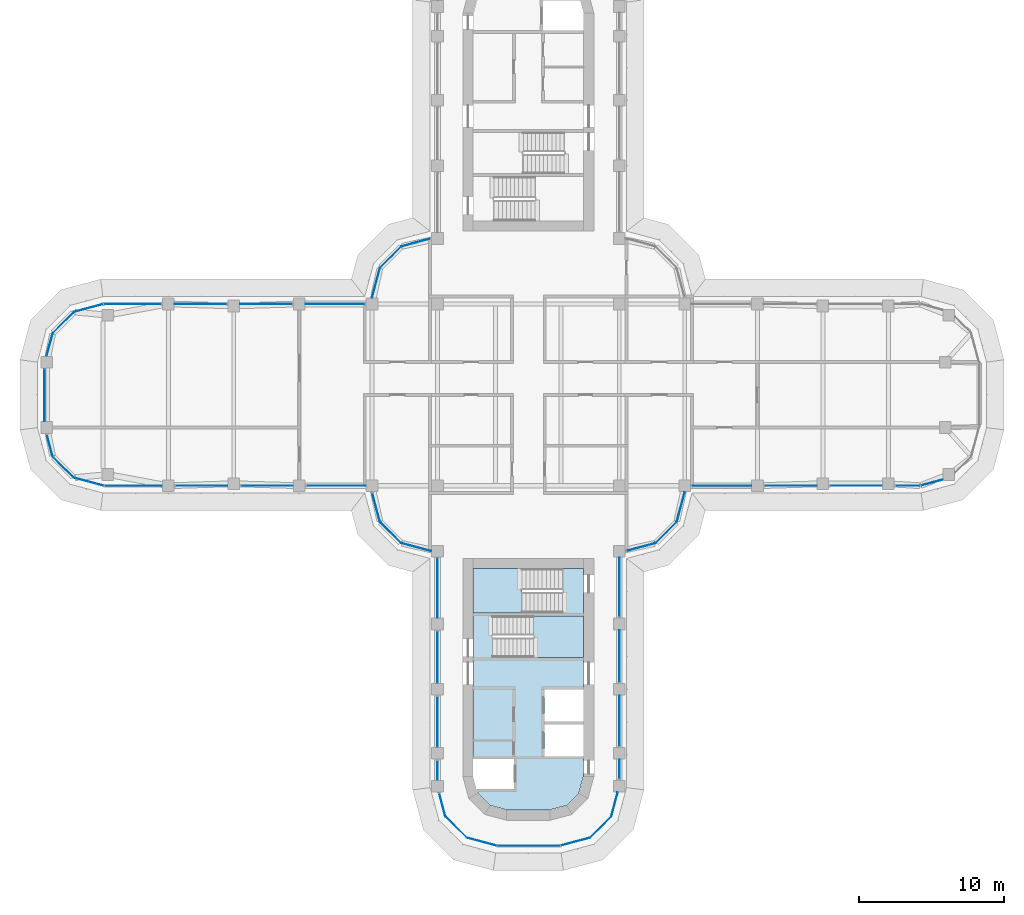
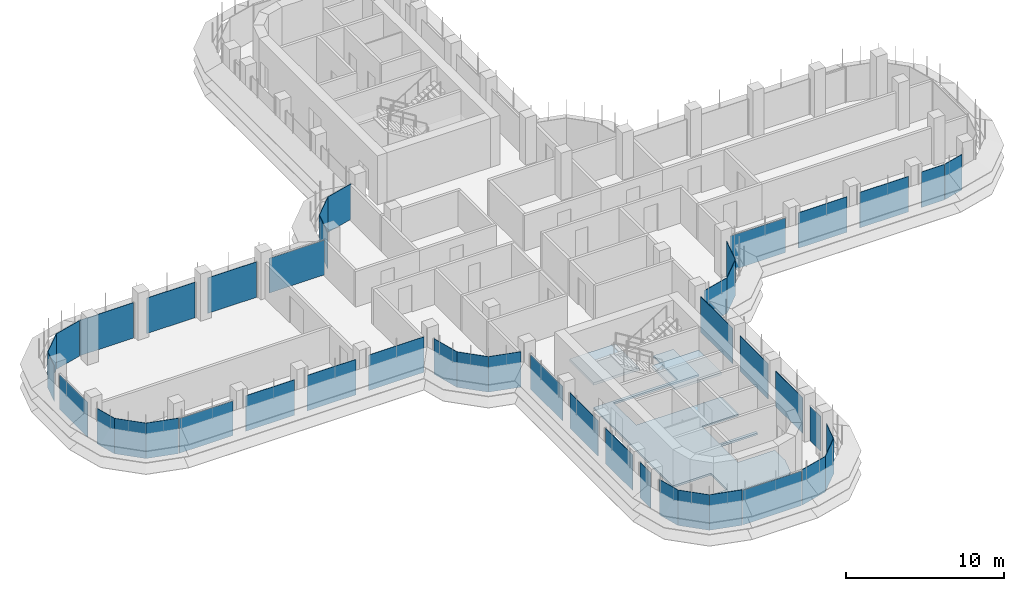
# One storey, part 11 of 19: 44 plates, 3 slabs, 31 elements without a shape of their own.
"""IFC4 building model written with IfcOpenShell, lengths in metres."""

from ifc_helpers import new_model, si_unit, direction, frame, origin, place, context, subcontext, project, spatial, polyline, outline, extrude, source, transform, mapped, material, layer, layer_set, type_object, element, aggregate, save


model = new_model("IFC4")

# Units and contexts
model_context = context("Model", 3, precision=1e-05, world=origin(), true_north=direction((0.0, 1.0)))
body_context = subcontext(model_context, "Body", "Model", "MODEL_VIEW")
ifc_project = project(units=[si_unit("LENGTHUNIT", "METRE"), si_unit("AREAUNIT", "SQUARE_METRE"), si_unit("VOLUMEUNIT", "CUBIC_METRE"), si_unit("PLANEANGLEUNIT", "RADIAN"), si_unit("MASSUNIT", "GRAM", prefix="KILO")], contexts=[model_context])

# Site, building, storey
site_placement = place(None, origin())
site = spatial("IfcSite", under=ifc_project, at=site_placement, CompositionType="ELEMENT")
building_placement = place(site_placement, origin())
building = spatial("IfcBuilding", under=site, at=building_placement, Name="Zarbagh Exchange Tower", CompositionType="ELEMENT")
storey_placement = place(building_placement, frame((0.0, 0.0, 182.800048828125)))
storey = spatial("IfcBuildingStorey", under=building, at=storey_placement, Name="L44", CompositionType="ELEMENT", Elevation=182.800048828125)

# Slab
ifc_material_1 = material(Name="Concrete C40/50", Category="concrete")
ifc_layer_1 = layer(ifc_material_1, 0.14990234375)
ifc_layer_set_1 = layer_set([ifc_layer_1], Name="Core floor slab 150 C40/50")
slab_type_1 = type_object("IfcSlabType", Name="Core floor slab 150 C40/50", PredefinedType="FLOOR", material=ifc_layer_set_1)
slab_1_placement = place(storey_placement, frame((0.0, 0.0, -0.150146484375)))
element("IfcSlab", 1, at=slab_1_placement, inside=storey, type_object=slab_type_1, Name="S17 core S", PredefinedType="FLOOR", context=body_context, shape_type="SweptSolid", body=[
    extrude(outline(polyline([(-2.6376953125, -28.220458984375), (-3.470458984375, -27.3876953125), (-3.800048828125, -26.15771484375), (-3.800048828125, -26.15771484375), (-3.547607421875, -27.10009765625), (-1.0, -27.10009765625), (-1.0, -25.050048828125), (-3.800048828125, -25.050048828125), (-3.800048828125, -15.0), (2.35009765625, -15.0), (2.35009765625, -11.949951171875), (3.800048828125, -11.949951171875), (3.800048828125, -15.199951171875), (-2.449951171875, -15.199951171875), (-2.449951171875, -18.050048828125), (3.800048828125, -18.050048828125), (3.800048828125, -20.25), (1.10009765625, -20.25), (1.10009765625, -22.449951171875), (3.800048828125, -22.449951171875), (3.800048828125, -22.64990234375), (1.10009765625, -22.64990234375), (1.10009765625, -24.85009765625), (3.800048828125, -24.85009765625), (3.800048828125, -26.15771484375), (3.470458984375, -27.3876953125), (2.6376953125, -28.220458984375), (1.40771484375, -28.550048828125), (-1.40771484375, -28.550048828125), (-2.6376953125, -28.220458984375)])), origin(), (0.0, 0.0, 1.0), 0.150146484375),
])

# Stair, slab
stair_type = type_object("IfcStairType", Name="Exit stair two-flight half-turn", PredefinedType="HALF_TURN_STAIR", material=ifc_material_1)
stair_1_placement = place(storey_placement, origin())
stair_1 = element("IfcStair", 2, at=stair_1_placement, inside=storey, type_object=stair_type, Name="exit stair ST3", PredefinedType="HALF_TURN_STAIR")
ifc_layer_2 = layer(ifc_material_1, 0.199951171875)
ifc_layer_set_2 = layer_set([ifc_layer_2], Name="Stair landing 200 mm")
slab_type_2 = type_object("IfcSlabType", Name="Stair landing 200 mm", PredefinedType="LANDING", material=ifc_layer_set_2)
slab_2_placement = place(storey_placement, frame((0.0, 0.0, 1.699951171875)))
slab_2 = element("IfcSlab", 3, at=slab_2_placement, type_object=slab_type_2, Name="ST3 landing 1", PredefinedType="LANDING", context=body_context, shape_type="SweptSolid", body=[
    extrude(outline(polyline([(0.35009765625, -18.050048828125), (3.800048828125, -18.050048828125), (3.800048828125, -15.199951171875), (0.35009765625, -15.199951171875), (0.35009765625, -18.050048828125)])), origin(), (0.0, 0.0, 1.0), 0.199951171875),
])
aggregate(stair_1, [slab_2])

stair_2_placement = place(storey_placement, origin())
stair_2 = element("IfcStair", 4, at=stair_2_placement, inside=storey, type_object=stair_type, Name="exit stair ST4", PredefinedType="HALF_TURN_STAIR")
slab_3_placement = place(storey_placement, frame((0.0, 0.0, 1.699951171875)))
slab_3 = element("IfcSlab", 5, at=slab_3_placement, type_object=slab_type_2, Name="ST4 landing 1", PredefinedType="LANDING", context=body_context, shape_type="SweptSolid", body=[
    extrude(outline(polyline([(-0.449951171875, -11.949951171875), (-3.800048828125, -11.949951171875), (-3.800048828125, -15.0), (-0.449951171875, -15.0), (-0.449951171875, -11.949951171875)])), origin(), (0.0, 0.0, 1.0), 0.199951171875),
])
aggregate(stair_2, [slab_3])

# Curtain wall, plate
ifc_material_2 = material(Name="Anodised aluminium frame and glazing", Category="aluminium")
curtain_wall_type = type_object("IfcCurtainWallType", Name="CWB Ribbon glazing, upper zones", PredefinedType="NOTDEFINED", material=ifc_material_2)
curtain_wall_1_placement = place(storey_placement, origin())
curtain_wall_1 = element("IfcCurtainWall", 6, at=curtain_wall_1_placement, inside=storey, type_object=curtain_wall_type, Name="CWB37 curtain wall", PredefinedType="NOTDEFINED")
ifc_material_3 = material(Name="Low-e double glazed unit, 6+12+6 mm")
ifc_layer_3 = layer(ifc_material_3, 0.031982421875)
ifc_layer_set_3 = layer_set([ifc_layer_3], Name="PAB Glazing panel, Low-e double glazed unit, 6+12+6 mm")
plate_type = type_object("IfcPlateType", Name="PAB Glazing panel, Low-e double glazed unit, 6+12+6 mm", PredefinedType="CURTAIN_PANEL", material=ifc_layer_set_3)
shared_shape_1 = source(origin(), body_context, "Body", "SweptSolid", [
    extrude(outline(polyline([(0.0, -0.01611328125), (1.5458984375, -0.01611328125), (1.5458984375, 0.01611328125), (0.0, 0.01611328125), (0.0, -0.01611328125)])), origin(), (0.0, 0.0, 1.0), 2.75),
])
placement = place(storey_placement, origin())
plate_1 = element("IfcPlate", 7, at=placement, type_object=plate_type, Name="CWB37 glazing panel 1.1", PredefinedType="CURTAIN_PANEL", context=body_context, shape_type="MappedRepresentation", body=[
    mapped(shared_shape_1, transform((-33.098876953125, -2.748046875, 0.0), x_axis=(0.258824779902, -0.965924289636, 0.0), y_axis=(0.965924289636, 0.258824779902, 0.0), z_axis=(0.0, 0.0, 1.0))),
])
aggregate(curtain_wall_1, [plate_1])

curtain_wall_2_placement = place(storey_placement, origin())
curtain_wall_2 = element("IfcCurtainWall", 8, at=curtain_wall_2_placement, inside=storey, type_object=curtain_wall_type, Name="CWB50 curtain wall", PredefinedType="NOTDEFINED")
shared_shape_2 = source(origin(), body_context, "Body", "SweptSolid", [
    extrude(outline(polyline([(0.0, -0.01611328125), (2.061279296875, -0.01611328125), (2.061279296875, 0.01611328125), (0.0, 0.01611328125), (0.0, -0.01611328125)])), origin(), (0.0, 0.0, 1.0), 2.75),
])
plate_2 = element("IfcPlate", 9, at=placement, type_object=plate_type, Name="CWB50 glazing panel 1.1", PredefinedType="CURTAIN_PANEL", context=body_context, shape_type="MappedRepresentation", body=[
    mapped(shared_shape_2, transform((4.2412109375, -30.44873046875, 0.0), x_axis=(0.707106781187, 0.707106781187, 0.0), y_axis=(-0.707106781187, 0.707106781187, 0.0), z_axis=(0.0, 0.0, 1.0))),
])
aggregate(curtain_wall_2, [plate_2])

curtain_wall_3_placement = place(storey_placement, origin())
curtain_wall_3 = element("IfcCurtainWall", 10, at=curtain_wall_3_placement, inside=storey, type_object=curtain_wall_type, Name="CWB06 curtain wall", PredefinedType="NOTDEFINED")
plate_3 = element("IfcPlate", 11, at=placement, type_object=plate_type, Name="CWB06 glazing panel 1.1", PredefinedType="CURTAIN_PANEL", context=body_context, shape_type="MappedRepresentation", body=[
    mapped(shared_shape_2, transform((8.7412109375, -10.19873046875, 0.0), x_axis=(0.707106781187, 0.707106781187, 0.0), y_axis=(-0.707106781187, 0.707106781187, 0.0), z_axis=(0.0, 0.0, 1.0))),
])
aggregate(curtain_wall_3, [plate_3])

curtain_wall_4_placement = place(storey_placement, origin())
curtain_wall_4 = element("IfcCurtainWall", 12, at=curtain_wall_4_placement, inside=storey, type_object=curtain_wall_type, Name="CWB30 curtain wall", PredefinedType="NOTDEFINED")
plate_4 = element("IfcPlate", 13, at=placement, type_object=plate_type, Name="CWB30 glazing panel 1.1", PredefinedType="CURTAIN_PANEL", context=body_context, shape_type="MappedRepresentation", body=[
    mapped(shared_shape_2, transform((-8.7412109375, 10.19873046875, 0.0), x_axis=(-0.707106781187, -0.707106781187, 0.0), y_axis=(0.707106781187, -0.707106781187, 0.0), z_axis=(0.0, 0.0, 1.0))),
])
aggregate(curtain_wall_4, [plate_4])

curtain_wall_5_placement = place(storey_placement, origin())
curtain_wall_5 = element("IfcCurtainWall", 14, at=curtain_wall_5_placement, inside=storey, type_object=curtain_wall_type, Name="CWB34 curtain wall", PredefinedType="NOTDEFINED")
plate_5 = element("IfcPlate", 15, at=placement, type_object=plate_type, Name="CWB34 glazing panel 1.1", PredefinedType="CURTAIN_PANEL", context=body_context, shape_type="MappedRepresentation", body=[
    mapped(shared_shape_2, transform((-31.2412109375, 5.69873046875, 0.0), x_axis=(-0.707106781187, -0.707106781187, 0.0), y_axis=(0.707106781187, -0.707106781187, 0.0), z_axis=(0.0, 0.0, 1.0))),
])
aggregate(curtain_wall_5, [plate_5])

curtain_wall_6_placement = place(storey_placement, origin())
curtain_wall_6 = element("IfcCurtainWall", 16, at=curtain_wall_6_placement, inside=storey, type_object=curtain_wall_type, Name="CWB38 curtain wall", PredefinedType="NOTDEFINED")
plate_6 = element("IfcPlate", 17, at=placement, type_object=plate_type, Name="CWB38 glazing panel 1.1", PredefinedType="CURTAIN_PANEL", context=body_context, shape_type="MappedRepresentation", body=[
    mapped(shared_shape_2, transform((-32.69873046875, -4.2412109375, 0.0), x_axis=(0.707106781187, -0.707106781187, 0.0), y_axis=(0.707106781187, 0.707106781187, 0.0), z_axis=(0.0, 0.0, 1.0))),
])
aggregate(curtain_wall_6, [plate_6])

curtain_wall_7_placement = place(storey_placement, origin())
curtain_wall_7 = element("IfcCurtainWall", 18, at=curtain_wall_7_placement, inside=storey, type_object=curtain_wall_type, Name="CWB42 curtain wall", PredefinedType="NOTDEFINED")
plate_7 = element("IfcPlate", 19, at=placement, type_object=plate_type, Name="CWB42 glazing panel 1.1", PredefinedType="CURTAIN_PANEL", context=body_context, shape_type="MappedRepresentation", body=[
    mapped(shared_shape_2, transform((-10.19873046875, -8.7412109375, 0.0), x_axis=(0.707106781187, -0.707106781187, 0.0), y_axis=(0.707106781187, 0.707106781187, 0.0), z_axis=(0.0, 0.0, 1.0))),
])
aggregate(curtain_wall_7, [plate_7])

curtain_wall_8_placement = place(storey_placement, origin())
curtain_wall_8 = element("IfcCurtainWall", 20, at=curtain_wall_8_placement, inside=storey, type_object=curtain_wall_type, Name="CWB55 curtain wall", PredefinedType="NOTDEFINED")
plate_8 = element("IfcPlate", 21, at=placement, type_object=plate_type, Name="CWB55 glazing panel 1.1", PredefinedType="CURTAIN_PANEL", context=body_context, shape_type="MappedRepresentation", body=[
    mapped(shared_shape_2, transform((-5.69873046875, -28.9912109375, 0.0), x_axis=(0.707106781187, -0.707106781187, 0.0), y_axis=(0.707106781187, 0.707106781187, 0.0), z_axis=(0.0, 0.0, 1.0))),
])
aggregate(curtain_wall_8, [plate_8])

curtain_wall_9_placement = place(storey_placement, origin())
curtain_wall_9 = element("IfcCurtainWall", 22, at=curtain_wall_9_placement, inside=storey, type_object=curtain_wall_type, Name="CWB39 curtain wall", PredefinedType="NOTDEFINED")
shared_shape_3 = source(origin(), body_context, "Body", "SweptSolid", [
    extrude(outline(polyline([(0.0, -0.01611328125), (2.129638671875, -0.01611328125), (2.129638671875, 0.01611328125), (0.0, 0.01611328125), (0.0, -0.01611328125)])), origin(), (0.0, 0.0, 1.0), 2.75),
])
plate_9 = element("IfcPlate", 23, at=placement, type_object=plate_type, Name="CWB39 glazing panel 1.1", PredefinedType="CURTAIN_PANEL", context=body_context, shape_type="MappedRepresentation", body=[
    mapped(shared_shape_3, transform((-31.2412109375, -5.69873046875, 0.0), x_axis=(0.965924289636, -0.258824779902, 0.0), y_axis=(0.258824779902, 0.965924289636, 0.0), z_axis=(0.0, 0.0, 1.0))),
])
aggregate(curtain_wall_9, [plate_9])

curtain_wall_10_placement = place(storey_placement, origin())
curtain_wall_10 = element("IfcCurtainWall", 24, at=curtain_wall_10_placement, inside=storey, type_object=curtain_wall_type, Name="CWB56 curtain wall", PredefinedType="NOTDEFINED")
plate_10 = element("IfcPlate", 25, at=placement, type_object=plate_type, Name="CWB56 glazing panel 1.1", PredefinedType="CURTAIN_PANEL", context=body_context, shape_type="MappedRepresentation", body=[
    mapped(shared_shape_3, transform((-4.2412109375, -30.44873046875, 0.0), x_axis=(0.965924289636, -0.258824779902, 0.0), y_axis=(0.258824779902, 0.965924289636, 0.0), z_axis=(0.0, 0.0, 1.0))),
])
aggregate(curtain_wall_10, [plate_10])

curtain_wall_11_placement = place(storey_placement, origin())
curtain_wall_11 = element("IfcCurtainWall", 26, at=curtain_wall_11_placement, inside=storey, type_object=curtain_wall_type, Name="CWB53 curtain wall", PredefinedType="NOTDEFINED")
shared_shape_4 = source(origin(), body_context, "Body", "SweptSolid", [
    extrude(outline(polyline([(0.0, -0.01611328125), (1.31005859375, -0.01611328125), (1.31005859375, 0.01611328125), (0.0, 0.01611328125), (0.0, -0.01611328125)])), origin(), (0.0, 0.0, 1.0), 2.75),
])
plate_11 = element("IfcPlate", 27, at=placement, type_object=plate_type, Name="CWB53 glazing panel 4.1", PredefinedType="CURTAIN_PANEL", context=body_context, shape_type="MappedRepresentation", body=[
    mapped(shared_shape_4, transform((-6.25, -25.150146484375, 0.0), x_axis=(0.0, -1.0, 0.0), y_axis=(1.0, 0.0, 0.0), z_axis=(0.0, 0.0, 1.0))),
])

curtain_wall_12_placement = place(storey_placement, origin())
curtain_wall_12 = element("IfcCurtainWall", 28, at=curtain_wall_12_placement, inside=storey, type_object=curtain_wall_type, Name="CWB52 curtain wall", PredefinedType="NOTDEFINED")
shared_shape_5 = source(origin(), body_context, "Body", "SweptSolid", [
    extrude(outline(polyline([(0.0, -0.01611328125), (3.4599609375, -0.01611328125), (3.4599609375, 0.01611328125), (0.0, 0.01611328125), (0.0, -0.01611328125)])), origin(), (0.0, 0.0, 1.0), 2.75),
])
plate_12 = element("IfcPlate", 29, at=placement, type_object=plate_type, Name="CWB52 glazing panel 2.1", PredefinedType="CURTAIN_PANEL", context=body_context, shape_type="MappedRepresentation", body=[
    mapped(shared_shape_5, transform((6.25, -24.14990234375, 0.0), x_axis=(0.0, 1.0, 0.0), y_axis=(-1.0, 0.0, 0.0), z_axis=(0.0, 0.0, 1.0))),
])

# Plate
plate_13 = element("IfcPlate", 30, at=placement, type_object=plate_type, Name="CWB53 glazing panel 3.1", PredefinedType="CURTAIN_PANEL", context=body_context, shape_type="MappedRepresentation", body=[
    mapped(shared_shape_5, transform((-6.25, -20.75, 0.0), x_axis=(0.0, -1.0, 0.0), y_axis=(1.0, 0.0, 0.0), z_axis=(0.0, 0.0, 1.0))),
])

shared_shape_6 = source(origin(), body_context, "Body", "SweptSolid", [
    extrude(outline(polyline([(0.0, -0.01611328125), (3.56005859375, -0.01611328125), (3.56005859375, 0.01611328125), (0.0, 0.01611328125), (0.0, -0.01611328125)])), origin(), (0.0, 0.0, 1.0), 2.75),
])
plate_14 = element("IfcPlate", 31, at=placement, type_object=plate_type, Name="CWB52 glazing panel 3.1", PredefinedType="CURTAIN_PANEL", context=body_context, shape_type="MappedRepresentation", body=[
    mapped(shared_shape_6, transform((6.25, -19.75, 0.0), x_axis=(0.0, 1.0, 0.0), y_axis=(-1.0, 0.0, 0.0), z_axis=(0.0, 0.0, 1.0))),
])

# Curtain wall, plates
curtain_wall_13_placement = place(storey_placement, origin())
curtain_wall_13 = element("IfcCurtainWall", 32, at=curtain_wall_13_placement, inside=storey, type_object=curtain_wall_type, Name="CWB08 curtain wall", PredefinedType="NOTDEFINED")
plate_15 = element("IfcPlate", 33, at=placement, type_object=plate_type, Name="CWB08 glazing panel 2.1", PredefinedType="CURTAIN_PANEL", context=body_context, shape_type="MappedRepresentation", body=[
    mapped(shared_shape_6, transform((16.25, -6.25, 0.0), x_axis=(1.0, 0.0, 0.0), y_axis=(0.0, 1.0, 0.0), z_axis=(0.0, 0.0, 1.0))),
])
plate_16 = element("IfcPlate", 34, at=placement, type_object=plate_type, Name="CWB08 glazing panel 3.1", PredefinedType="CURTAIN_PANEL", context=body_context, shape_type="MappedRepresentation", body=[
    mapped(shared_shape_6, transform((20.75, -6.25, 0.0), x_axis=(1.0, 0.0, 0.0), y_axis=(0.0, 1.0, 0.0), z_axis=(0.0, 0.0, 1.0))),
])

curtain_wall_14_placement = place(storey_placement, origin())
curtain_wall_14 = element("IfcCurtainWall", 35, at=curtain_wall_14_placement, inside=storey, type_object=curtain_wall_type, Name="CWB32 curtain wall", PredefinedType="NOTDEFINED")
plate_17 = element("IfcPlate", 36, at=placement, type_object=plate_type, Name="CWB32 glazing panel 2.1", PredefinedType="CURTAIN_PANEL", context=body_context, shape_type="MappedRepresentation", body=[
    mapped(shared_shape_6, transform((-16.25, 6.25, 0.0), x_axis=(-1.0, 0.0, 0.0), y_axis=(0.0, -1.0, 0.0), z_axis=(0.0, 0.0, 1.0))),
])
plate_18 = element("IfcPlate", 37, at=placement, type_object=plate_type, Name="CWB32 glazing panel 3.1", PredefinedType="CURTAIN_PANEL", context=body_context, shape_type="MappedRepresentation", body=[
    mapped(shared_shape_6, transform((-20.75, 6.25, 0.0), x_axis=(-1.0, 0.0, 0.0), y_axis=(0.0, -1.0, 0.0), z_axis=(0.0, 0.0, 1.0))),
])

curtain_wall_15_placement = place(storey_placement, origin())
curtain_wall_15 = element("IfcCurtainWall", 38, at=curtain_wall_15_placement, inside=storey, type_object=curtain_wall_type, Name="CWB40 curtain wall", PredefinedType="NOTDEFINED")
plate_19 = element("IfcPlate", 39, at=placement, type_object=plate_type, Name="CWB40 glazing panel 2.1", PredefinedType="CURTAIN_PANEL", context=body_context, shape_type="MappedRepresentation", body=[
    mapped(shared_shape_6, transform((-24.25, -6.25, 0.0), x_axis=(1.0, 0.0, 0.0), y_axis=(0.0, 1.0, 0.0), z_axis=(0.0, 0.0, 1.0))),
])
plate_20 = element("IfcPlate", 40, at=placement, type_object=plate_type, Name="CWB40 glazing panel 3.1", PredefinedType="CURTAIN_PANEL", context=body_context, shape_type="MappedRepresentation", body=[
    mapped(shared_shape_6, transform((-19.75, -6.25, 0.0), x_axis=(1.0, 0.0, 0.0), y_axis=(0.0, 1.0, 0.0), z_axis=(0.0, 0.0, 1.0))),
])

# Plate
plate_21 = element("IfcPlate", 41, at=placement, type_object=plate_type, Name="CWB53 glazing panel 2.1", PredefinedType="CURTAIN_PANEL", context=body_context, shape_type="MappedRepresentation", body=[
    mapped(shared_shape_6, transform((-6.25, -16.25, 0.0), x_axis=(0.0, -1.0, 0.0), y_axis=(1.0, 0.0, 0.0), z_axis=(0.0, 0.0, 1.0))),
])

shared_shape_7 = source(origin(), body_context, "Body", "SweptSolid", [
    extrude(outline(polyline([(0.0, -0.01611328125), (4.06005859375, -0.01611328125), (4.06005859375, 0.01611328125), (0.0, 0.01611328125), (0.0, -0.01611328125)])), origin(), (0.0, 0.0, 1.0), 2.75),
])
plate_22 = element("IfcPlate", 42, at=placement, type_object=plate_type, Name="CWB52 glazing panel 4.1", PredefinedType="CURTAIN_PANEL", context=body_context, shape_type="MappedRepresentation", body=[
    mapped(shared_shape_7, transform((6.25, -15.25, 0.0), x_axis=(0.0, 1.0, 0.0), y_axis=(-1.0, 0.0, 0.0), z_axis=(0.0, 0.0, 1.0))),
])

plate_23 = element("IfcPlate", 43, at=placement, type_object=plate_type, Name="CWB40 glazing panel 4.1", PredefinedType="CURTAIN_PANEL", context=body_context, shape_type="MappedRepresentation", body=[
    mapped(shared_shape_7, transform((-15.25, -6.25, 0.0), x_axis=(1.0, 0.0, 0.0), y_axis=(0.0, 1.0, 0.0), z_axis=(0.0, 0.0, 1.0))),
])

# Curtain wall, plate
curtain_wall_16_placement = place(storey_placement, origin())
curtain_wall_16 = element("IfcCurtainWall", 44, at=curtain_wall_16_placement, inside=storey, type_object=curtain_wall_type, Name="CWB05 curtain wall", PredefinedType="NOTDEFINED")
shared_shape_8 = source(origin(), body_context, "Body", "SweptSolid", [
    extrude(outline(polyline([(0.0, -0.01611328125), (2.063720703125, -0.01611328125), (2.063720703125, 0.01611328125), (0.0, 0.01611328125), (0.0, -0.01611328125)])), origin(), (0.0, 0.0, 1.0), 2.75),
])
plate_24 = element("IfcPlate", 45, at=placement, type_object=plate_type, Name="CWB05 glazing panel 1.1", PredefinedType="CURTAIN_PANEL", context=body_context, shape_type="MappedRepresentation", body=[
    mapped(shared_shape_8, transform((6.748046875, -10.73291015625, 0.0), x_axis=(0.965924289636, 0.258824779902, 0.0), y_axis=(-0.258824779902, 0.965924289636, 0.0), z_axis=(0.0, 0.0, 1.0))),
])
aggregate(curtain_wall_16, [plate_24])

curtain_wall_17_placement = place(storey_placement, origin())
curtain_wall_17 = element("IfcCurtainWall", 46, at=curtain_wall_17_placement, inside=storey, type_object=curtain_wall_type, Name="CWB29 curtain wall", PredefinedType="NOTDEFINED")
plate_25 = element("IfcPlate", 47, at=placement, type_object=plate_type, Name="CWB29 glazing panel 1.1", PredefinedType="CURTAIN_PANEL", context=body_context, shape_type="MappedRepresentation", body=[
    mapped(shared_shape_8, transform((-6.748046875, 10.73291015625, 0.0), x_axis=(-0.965924289636, -0.258824779902, 0.0), y_axis=(0.258824779902, -0.965924289636, 0.0), z_axis=(0.0, 0.0, 1.0))),
])
aggregate(curtain_wall_17, [plate_25])

curtain_wall_18_placement = place(storey_placement, origin())
curtain_wall_18 = element("IfcCurtainWall", 48, at=curtain_wall_18_placement, inside=storey, type_object=curtain_wall_type, Name="CWB41 curtain wall", PredefinedType="NOTDEFINED")
plate_26 = element("IfcPlate", 49, at=placement, type_object=plate_type, Name="CWB41 glazing panel 1.1", PredefinedType="CURTAIN_PANEL", context=body_context, shape_type="MappedRepresentation", body=[
    mapped(shared_shape_8, transform((-10.73291015625, -6.748046875, 0.0), x_axis=(0.258824779902, -0.965924289636, 0.0), y_axis=(0.965924289636, 0.258824779902, 0.0), z_axis=(0.0, 0.0, 1.0))),
])
aggregate(curtain_wall_18, [plate_26])

curtain_wall_19_placement = place(storey_placement, origin())
curtain_wall_19 = element("IfcCurtainWall", 50, at=curtain_wall_19_placement, inside=storey, type_object=curtain_wall_type, Name="CWB07 curtain wall", PredefinedType="NOTDEFINED")
shared_shape_9 = source(origin(), body_context, "Body", "SweptSolid", [
    extrude(outline(polyline([(0.0, -0.01611328125), (2.12353515625, -0.01611328125), (2.12353515625, 0.01611328125), (0.0, 0.01611328125), (0.0, -0.01611328125)])), origin(), (0.0, 0.0, 1.0), 2.75),
])
plate_27 = element("IfcPlate", 51, at=placement, type_object=plate_type, Name="CWB07 glazing panel 1.1", PredefinedType="CURTAIN_PANEL", context=body_context, shape_type="MappedRepresentation", body=[
    mapped(shared_shape_9, transform((10.19873046875, -8.7412109375, 0.0), x_axis=(0.258824779902, 0.965924289636, 0.0), y_axis=(-0.965924289636, 0.258824779902, 0.0), z_axis=(0.0, 0.0, 1.0))),
])
aggregate(curtain_wall_19, [plate_27])

curtain_wall_20_placement = place(storey_placement, origin())
curtain_wall_20 = element("IfcCurtainWall", 52, at=curtain_wall_20_placement, inside=storey, type_object=curtain_wall_type, Name="CWB31 curtain wall", PredefinedType="NOTDEFINED")
plate_28 = element("IfcPlate", 53, at=placement, type_object=plate_type, Name="CWB31 glazing panel 1.1", PredefinedType="CURTAIN_PANEL", context=body_context, shape_type="MappedRepresentation", body=[
    mapped(shared_shape_9, transform((-10.19873046875, 8.7412109375, 0.0), x_axis=(-0.258824779902, -0.965924289636, 0.0), y_axis=(0.965924289636, -0.258824779902, 0.0), z_axis=(0.0, 0.0, 1.0))),
])
aggregate(curtain_wall_20, [plate_28])

curtain_wall_21_placement = place(storey_placement, origin())
curtain_wall_21 = element("IfcCurtainWall", 54, at=curtain_wall_21_placement, inside=storey, type_object=curtain_wall_type, Name="CWB43 curtain wall", PredefinedType="NOTDEFINED")
plate_29 = element("IfcPlate", 55, at=placement, type_object=plate_type, Name="CWB43 glazing panel 1.1", PredefinedType="CURTAIN_PANEL", context=body_context, shape_type="MappedRepresentation", body=[
    mapped(shared_shape_9, transform((-8.7412109375, -10.19873046875, 0.0), x_axis=(0.965924289636, -0.258824779902, 0.0), y_axis=(0.258824779902, 0.965924289636, 0.0), z_axis=(0.0, 0.0, 1.0))),
])
aggregate(curtain_wall_21, [plate_29])

# Plate
shared_shape_10 = source(origin(), body_context, "Body", "SweptSolid", [
    extrude(outline(polyline([(0.0, -0.01611328125), (4.06005859375, -0.01611328125), (4.06005859375, 0.01611328125), (0.0, 0.01611328125), (0.0, -0.01611328125)])), origin(), (0.0, 0.0, 1.0), 2.68994140625),
])
plate_30 = element("IfcPlate", 56, at=placement, type_object=plate_type, Name="CWB08 glazing panel 1.1", PredefinedType="CURTAIN_PANEL", context=body_context, shape_type="MappedRepresentation", body=[
    mapped(shared_shape_10, transform((11.25, -6.25, 0.0), x_axis=(1.0, 0.0, 0.0), y_axis=(0.0, 1.0, 0.0), z_axis=(0.0, 0.0, 1.0))),
])

plate_31 = element("IfcPlate", 57, at=placement, type_object=plate_type, Name="CWB32 glazing panel 1.1", PredefinedType="CURTAIN_PANEL", context=body_context, shape_type="MappedRepresentation", body=[
    mapped(shared_shape_10, transform((-11.25, 6.25, 0.0), x_axis=(-1.0, 0.0, 0.0), y_axis=(0.0, -1.0, 0.0), z_axis=(0.0, 0.0, 1.0))),
])

plate_32 = element("IfcPlate", 58, at=placement, type_object=plate_type, Name="CWB53 glazing panel 1.1", PredefinedType="CURTAIN_PANEL", context=body_context, shape_type="MappedRepresentation", body=[
    mapped(shared_shape_10, transform((-6.25, -11.25, 0.0), x_axis=(0.0, -1.0, 0.0), y_axis=(1.0, 0.0, 0.0), z_axis=(0.0, 0.0, 1.0))),
])

aggregate(curtain_wall_11, [plate_32, plate_21, plate_13, plate_11])

shared_shape_11 = source(origin(), body_context, "Body", "SweptSolid", [
    extrude(outline(polyline([(0.0, -0.01611328125), (1.68408203125, -0.01611328125), (1.68408203125, 0.01611328125), (0.0, 0.01611328125), (0.0, -0.01611328125)])), origin(), (0.0, 0.0, 1.0), 2.75),
])
plate_33 = element("IfcPlate", 59, at=placement, type_object=plate_type, Name="CWB08 glazing panel 4.1", PredefinedType="CURTAIN_PANEL", context=body_context, shape_type="MappedRepresentation", body=[
    mapped(shared_shape_11, transform((25.25, -6.25, 0.0), x_axis=(1.0, 0.0, 0.0), y_axis=(0.0, 1.0, 0.0), z_axis=(0.0, 0.0, 1.0))),
])

aggregate(curtain_wall_13, [plate_30, plate_15, plate_16, plate_33])

# Curtain wall, plate
curtain_wall_22_placement = place(storey_placement, origin())
curtain_wall_22 = element("IfcCurtainWall", 60, at=curtain_wall_22_placement, inside=storey, type_object=curtain_wall_type, Name="CWB09 curtain wall", PredefinedType="NOTDEFINED")
shared_shape_12 = source(origin(), body_context, "Body", "SweptSolid", [
    extrude(outline(polyline([(0.0, -0.01611328125), (1.52783203125, -0.01611328125), (1.52783203125, 0.01611328125), (0.0, 0.01611328125), (0.0, -0.01611328125)])), origin(), (0.0, 0.0, 1.0), 2.75),
])
plate_34 = element("IfcPlate", 61, at=placement, type_object=plate_type, Name="CWB09 glazing panel 1.1", PredefinedType="CURTAIN_PANEL", context=body_context, shape_type="MappedRepresentation", body=[
    mapped(shared_shape_12, transform((26.9921875, -6.234375, 0.0), x_axis=(0.965924289636, 0.258824779902, 0.0), y_axis=(-0.258824779902, 0.965924289636, 0.0), z_axis=(0.0, 0.0, 1.0))),
])
aggregate(curtain_wall_22, [plate_34])

curtain_wall_23_placement = place(storey_placement, origin())
curtain_wall_23 = element("IfcCurtainWall", 62, at=curtain_wall_23_placement, inside=storey, type_object=curtain_wall_type, Name="CWB57 curtain wall", PredefinedType="NOTDEFINED")
shared_shape_13 = source(origin(), body_context, "Body", "SweptSolid", [
    extrude(outline(polyline([(0.0, -0.01611328125), (4.308349609375, -0.01611328125), (4.308349609375, 0.01611328125), (0.0, 0.01611328125), (0.0, -0.01611328125)])), origin(), (0.0, 0.0, 1.0), 2.68994140625),
])
plate_35 = element("IfcPlate", 63, at=placement, type_object=plate_type, Name="CWB57 glazing panel 1.1", PredefinedType="CURTAIN_PANEL", context=body_context, shape_type="MappedRepresentation", body=[
    mapped(shared_shape_13, transform((-2.124267578125, -31.0, 0.0), x_axis=(1.0, 0.0, 0.0), y_axis=(0.0, 1.0, 0.0), z_axis=(0.0, 0.0, 1.0))),
])
aggregate(curtain_wall_23, [plate_35])

curtain_wall_24_placement = place(storey_placement, origin())
curtain_wall_24 = element("IfcCurtainWall", 64, at=curtain_wall_24_placement, inside=storey, type_object=curtain_wall_type, Name="CWB49 curtain wall", PredefinedType="NOTDEFINED")
shared_shape_14 = source(origin(), body_context, "Body", "SweptSolid", [
    extrude(outline(polyline([(0.0, -0.01611328125), (2.069580078125, -0.01611328125), (2.069580078125, 0.01611328125), (0.0, 0.01611328125), (0.0, -0.01611328125)])), origin(), (0.0, 0.0, 1.0), 2.75),
])
plate_36 = element("IfcPlate", 65, at=placement, type_object=plate_type, Name="CWB49 glazing panel 1.1", PredefinedType="CURTAIN_PANEL", context=body_context, shape_type="MappedRepresentation", body=[
    mapped(shared_shape_14, transform((2.2421875, -30.984375, 0.0), x_axis=(0.965924289636, 0.258824779902, 0.0), y_axis=(-0.258824779902, 0.965924289636, 0.0), z_axis=(0.0, 0.0, 1.0))),
])
aggregate(curtain_wall_24, [plate_36])

curtain_wall_25_placement = place(storey_placement, origin())
curtain_wall_25 = element("IfcCurtainWall", 66, at=curtain_wall_25_placement, inside=storey, type_object=curtain_wall_type, Name="CWB33 curtain wall", PredefinedType="NOTDEFINED")
plate_37 = element("IfcPlate", 67, at=placement, type_object=plate_type, Name="CWB33 glazing panel 1.1", PredefinedType="CURTAIN_PANEL", context=body_context, shape_type="MappedRepresentation", body=[
    mapped(shared_shape_14, transform((-29.2421875, 6.234375, 0.0), x_axis=(-0.965924289636, -0.258824779902, 0.0), y_axis=(0.258824779902, -0.965924289636, 0.0), z_axis=(0.0, 0.0, 1.0))),
])
aggregate(curtain_wall_25, [plate_37])

# Plate
shared_shape_15 = source(origin(), body_context, "Body", "SweptSolid", [
    extrude(outline(polyline([(0.0, -0.01611328125), (3.93408203125, -0.01611328125), (3.93408203125, 0.01611328125), (0.0, 0.01611328125), (0.0, -0.01611328125)])), origin(), (0.0, 0.0, 1.0), 2.75),
])
plate_38 = element("IfcPlate", 68, at=placement, type_object=plate_type, Name="CWB32 glazing panel 4.1", PredefinedType="CURTAIN_PANEL", context=body_context, shape_type="MappedRepresentation", body=[
    mapped(shared_shape_15, transform((-25.25, 6.25, 0.0), x_axis=(-1.0, 0.0, 0.0), y_axis=(0.0, -1.0, 0.0), z_axis=(0.0, 0.0, 1.0))),
])

aggregate(curtain_wall_14, [plate_31, plate_17, plate_18, plate_38])

# Curtain wall, plate
curtain_wall_26_placement = place(storey_placement, origin())
curtain_wall_26 = element("IfcCurtainWall", 69, at=curtain_wall_26_placement, inside=storey, type_object=curtain_wall_type, Name="CWB35 curtain wall", PredefinedType="NOTDEFINED")
shared_shape_16 = source(origin(), body_context, "Body", "SweptSolid", [
    extrude(outline(polyline([(0.0, -0.01611328125), (1.60595703125, -0.01611328125), (1.60595703125, 0.01611328125), (0.0, 0.01611328125), (0.0, -0.01611328125)])), origin(), (0.0, 0.0, 1.0), 2.75),
])
plate_39 = element("IfcPlate", 70, at=placement, type_object=plate_type, Name="CWB35 glazing panel 1.1", PredefinedType="CURTAIN_PANEL", context=body_context, shape_type="MappedRepresentation", body=[
    mapped(shared_shape_16, transform((-32.69873046875, 4.2412109375, 0.0), x_axis=(-0.258824779902, -0.965924289636, 0.0), y_axis=(0.965924289636, -0.258824779902, 0.0), z_axis=(0.0, 0.0, 1.0))),
])
aggregate(curtain_wall_26, [plate_39])

curtain_wall_27_placement = place(storey_placement, origin())
curtain_wall_27 = element("IfcCurtainWall", 71, at=curtain_wall_27_placement, inside=storey, type_object=curtain_wall_type, Name="CWB36 curtain wall", PredefinedType="NOTDEFINED")
shared_shape_17 = source(origin(), body_context, "Body", "SweptSolid", [
    extrude(outline(polyline([(0.0, -0.01611328125), (3.56005859375, -0.01611328125), (3.56005859375, 0.01611328125), (0.0, 0.01611328125), (0.0, -0.01611328125)])), origin(), (0.0, 0.0, 1.0), 2.68994140625),
])
plate_40 = element("IfcPlate", 72, at=placement, type_object=plate_type, Name="CWB36 glazing panel 1.1", PredefinedType="CURTAIN_PANEL", context=body_context, shape_type="MappedRepresentation", body=[
    mapped(shared_shape_17, transform((-33.25, 1.75, 0.0), x_axis=(0.0, -1.0, 0.0), y_axis=(1.0, 0.0, 0.0), z_axis=(0.0, 0.0, 1.0))),
])
aggregate(curtain_wall_27, [plate_40])

# Plate
shared_shape_18 = source(origin(), body_context, "Body", "SweptSolid", [
    extrude(outline(polyline([(0.0, -0.01611328125), (3.93408203125, -0.01611328125), (3.93408203125, 0.01611328125), (0.0, 0.01611328125), (0.0, -0.01611328125)])), origin(), (0.0, 0.0, 1.0), 2.68994140625),
])
plate_41 = element("IfcPlate", 73, at=placement, type_object=plate_type, Name="CWB40 glazing panel 1.1", PredefinedType="CURTAIN_PANEL", context=body_context, shape_type="MappedRepresentation", body=[
    mapped(shared_shape_18, transform((-29.124267578125, -6.25, 0.0), x_axis=(1.0, 0.0, 0.0), y_axis=(0.0, 1.0, 0.0), z_axis=(0.0, 0.0, 1.0))),
])

aggregate(curtain_wall_15, [plate_41, plate_19, plate_20, plate_23])

# Curtain wall, plate
curtain_wall_28_placement = place(storey_placement, origin())
curtain_wall_28 = element("IfcCurtainWall", 74, at=curtain_wall_28_placement, inside=storey, type_object=curtain_wall_type, Name="CWB51 curtain wall", PredefinedType="NOTDEFINED")
shared_shape_19 = source(origin(), body_context, "Body", "SweptSolid", [
    extrude(outline(polyline([(0.0, -0.01611328125), (1.70947265625, -0.01611328125), (1.70947265625, 0.01611328125), (0.0, 0.01611328125), (0.0, -0.01611328125)])), origin(), (0.0, 0.0, 1.0), 2.75),
])
plate_42 = element("IfcPlate", 75, at=placement, type_object=plate_type, Name="CWB51 glazing panel 1.1", PredefinedType="CURTAIN_PANEL", context=body_context, shape_type="MappedRepresentation", body=[
    mapped(shared_shape_19, transform((5.69873046875, -28.9912109375, 0.0), x_axis=(0.258824779902, 0.965924289636, 0.0), y_axis=(-0.965924289636, 0.258824779902, 0.0), z_axis=(0.0, 0.0, 1.0))),
])
aggregate(curtain_wall_28, [plate_42])

# Plate
shared_shape_20 = source(origin(), body_context, "Body", "SweptSolid", [
    extrude(outline(polyline([(0.0, -0.01611328125), (1.31005859375, -0.01611328125), (1.31005859375, 0.01611328125), (0.0, 0.01611328125), (0.0, -0.01611328125)])), origin(), (0.0, 0.0, 1.0), 2.68994140625),
])
plate_43 = element("IfcPlate", 76, at=placement, type_object=plate_type, Name="CWB52 glazing panel 1.1", PredefinedType="CURTAIN_PANEL", context=body_context, shape_type="MappedRepresentation", body=[
    mapped(shared_shape_20, transform((6.25, -26.39990234375, 0.0), x_axis=(0.0, 1.0, 0.0), y_axis=(-1.0, 0.0, 0.0), z_axis=(0.0, 0.0, 1.0))),
])

aggregate(curtain_wall_12, [plate_43, plate_12, plate_14, plate_22])

# Curtain wall, plate
curtain_wall_29_placement = place(storey_placement, origin())
curtain_wall_29 = element("IfcCurtainWall", 77, at=curtain_wall_29_placement, inside=storey, type_object=curtain_wall_type, Name="CWB54 curtain wall", PredefinedType="NOTDEFINED")
shared_shape_21 = source(origin(), body_context, "Body", "SweptSolid", [
    extrude(outline(polyline([(0.0, -0.01611328125), (1.6494140625, -0.01611328125), (1.6494140625, 0.01611328125), (0.0, 0.01611328125), (0.0, -0.01611328125)])), origin(), (0.0, 0.0, 1.0), 2.75),
])
plate_44 = element("IfcPlate", 78, at=placement, type_object=plate_type, Name="CWB54 glazing panel 1.1", PredefinedType="CURTAIN_PANEL", context=body_context, shape_type="MappedRepresentation", body=[
    mapped(shared_shape_21, transform((-6.125732421875, -27.39794921875, 0.0), x_axis=(0.258824779902, -0.965924289636, 0.0), y_axis=(0.965924289636, 0.258824779902, 0.0), z_axis=(0.0, 0.0, 1.0))),
])
aggregate(curtain_wall_29, [plate_44])

save(model, "model.ifc")
